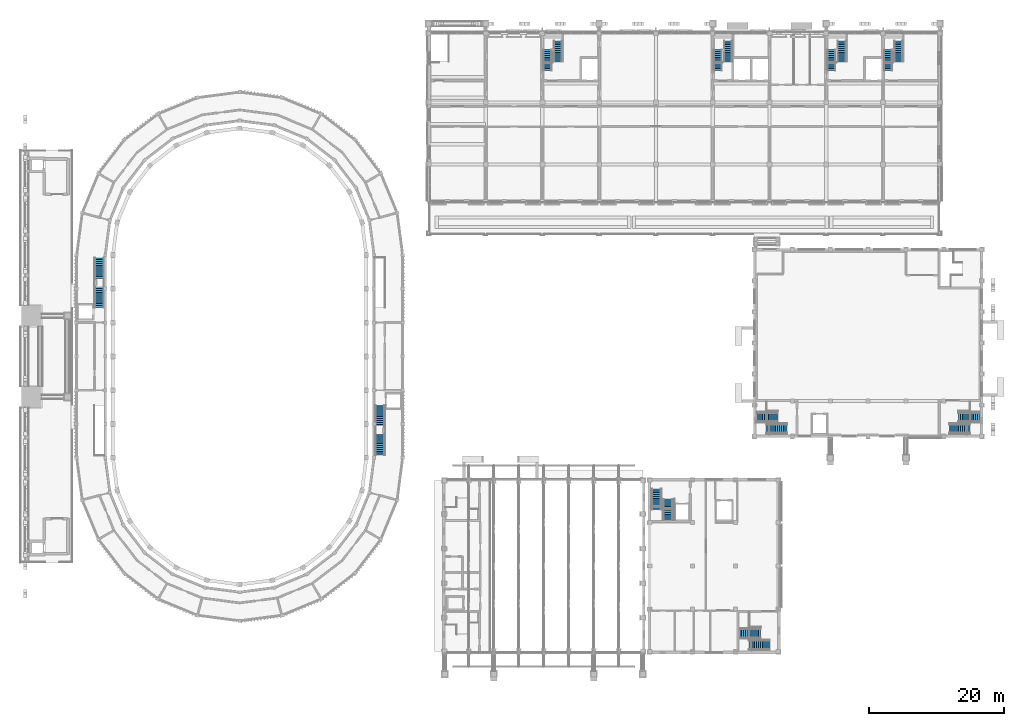
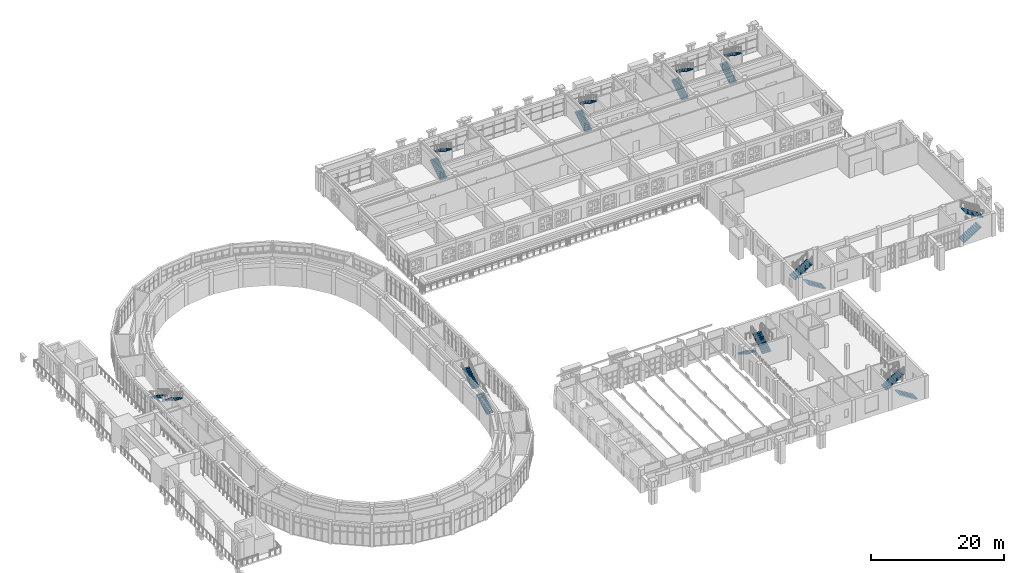
# One storey, part 70 of 99: 20 stair flights, 10 elements without a shape of their own.
"""IFC4 building model written with IfcOpenShell, lengths in metres."""

from ifc_helpers import new_model, si_unit, direction, frame, origin, place, context, subcontext, project, spatial, polyline, outline, extrude, material, type_object, element, aggregate, save


model = new_model("IFC4")

# Units and contexts
model_context = context("Model", 3, precision=1e-05, world=origin(), true_north=direction((0.0, 1.0)))
body_context = subcontext(model_context, "Body", "Model", "MODEL_VIEW")
ifc_project = project(units=[si_unit("LENGTHUNIT", "METRE"), si_unit("AREAUNIT", "SQUARE_METRE"), si_unit("VOLUMEUNIT", "CUBIC_METRE"), si_unit("PLANEANGLEUNIT", "RADIAN"), si_unit("MASSUNIT", "GRAM", prefix="KILO")], contexts=[model_context])

# Site, building, storey
site_placement = place(None, origin())
site = spatial("IfcSite", under=ifc_project, at=site_placement, CompositionType="ELEMENT")
building_placement = place(site_placement, origin())
building = spatial("IfcBuilding", under=site, at=building_placement, Name="Wasatch Bagh Community Centre", CompositionType="ELEMENT")
storey_placement = place(building_placement, frame((0.0, 0.0, 4.199951171875)))
storey = spatial("IfcBuildingStorey", under=building, at=storey_placement, Name="L01", CompositionType="ELEMENT", Elevation=4.199951171875)

# Stair, stair flights
ifc_material = material(Name="Concrete C35", Category="concrete")
stair_type_1 = type_object("IfcStairType", Name="Drum stair 175 x 280", PredefinedType="STRAIGHT_RUN_STAIR", material=ifc_material)
stair_1_placement = place(storey_placement, origin())
stair_1 = element("IfcStair", 1, at=stair_1_placement, inside=storey, type_object=stair_type_1, Name="Stair SE0", PredefinedType="STRAIGHT_RUN_STAIR")
stair_flight_type_1 = type_object("IfcStairFlightType", Name="Drum stair flight 175 x 280", PredefinedType="STRAIGHT", material=ifc_material)
stair_flight_1_placement = place(storey_placement, frame((56.77490234375, 35.39990234375, 0.0), z_axis=(0.0, 0.0, 1.0), x_axis=(0.0, 1.0, 0.0)))
stair_flight_1 = element("IfcStairFlight", 2, at=stair_flight_1_placement, type_object=stair_flight_type_1, Name="FST3 flight 1", NumberOfRisers=12, NumberOfTreads=11, PredefinedType="STRAIGHT", RiserHeight=0.175, TreadLength=0.28, context=body_context, shape_type="SweptSolid", body=[
    extrude(outline(polyline([(0.0, 0.0), (0.0, 0.175048828125), (0.280029296875, 0.175048828125), (0.280029296875, 0.35009765625), (0.56005859375, 0.35009765625), (0.56005859375, 0.52490234375), (0.840087890625, 0.52490234375), (0.840087890625, 0.699951171875), (1.1201171875, 0.699951171875), (1.1201171875, 0.875), (1.39990234375, 0.875), (1.39990234375, 1.050048828125), (1.679931640625, 1.050048828125), (1.679931640625, 1.22509765625), (1.9599609375, 1.22509765625), (1.9599609375, 1.39990234375), (2.239990234375, 1.39990234375), (2.239990234375, 1.574951171875), (2.52001953125, 1.574951171875), (2.52001953125, 1.75), (2.800048828125, 1.75), (2.800048828125, 1.925048828125), (3.080078125, 1.925048828125), (3.080078125, 2.10009765625), (3.080078125, 1.748291015625), (0.28271484375, 0.0), (0.0, 0.0)])), frame((0.0, 0.60009765625, 0.0), z_axis=(0.0, -1.0, 0.0), x_axis=(1.0, 0.0, 0.0)), (0.0, 0.0, 1.0), 1.199951171875),
])
stair_flight_2_placement = place(storey_placement, frame((56.77490234375, 39.679931640625, 2.10009765625), z_axis=(0.0, 0.0, 1.0), x_axis=(0.0, 1.0, 0.0)))
stair_flight_2 = element("IfcStairFlight", 3, at=stair_flight_2_placement, type_object=stair_flight_type_1, Name="FST3 flight 2", NumberOfRisers=12, NumberOfTreads=11, PredefinedType="STRAIGHT", RiserHeight=0.175, TreadLength=0.28, context=body_context, shape_type="SweptSolid", body=[
    extrude(outline(polyline([(0.0, 0.0), (0.0, 0.175048828125), (0.280029296875, 0.175048828125), (0.280029296875, 0.35009765625), (0.56005859375, 0.35009765625), (0.56005859375, 0.52490234375), (0.840087890625, 0.52490234375), (0.840087890625, 0.699951171875), (1.1201171875, 0.699951171875), (1.1201171875, 0.875), (1.39990234375, 0.875), (1.39990234375, 1.050048828125), (1.679931640625, 1.050048828125), (1.679931640625, 1.22509765625), (1.9599609375, 1.22509765625), (1.9599609375, 1.39990234375), (2.239990234375, 1.39990234375), (2.239990234375, 1.574951171875), (2.52001953125, 1.574951171875), (2.52001953125, 1.75), (2.800048828125, 1.75), (2.800048828125, 1.925048828125), (3.080078125, 1.925048828125), (3.080078125, 2.10009765625), (3.080078125, 1.748291015625), (0.28271484375, 0.0), (0.0, 0.0)])), frame((0.0, 0.60009765625, 0.0), z_axis=(0.0, -1.0, 0.0), x_axis=(1.0, 0.0, 0.0)), (0.0, 0.0, 1.0), 1.199951171875),
])
aggregate(stair_1, [stair_flight_1, stair_flight_2])

stair_2_placement = place(storey_placement, origin())
stair_2 = element("IfcStair", 4, at=stair_2_placement, inside=storey, type_object=stair_type_1, Name="Stair NW0", PredefinedType="STRAIGHT_RUN_STAIR")
stair_flight_3_placement = place(storey_placement, frame((15.22509765625, 64.60009765625, 0.0), z_axis=(0.0, 0.0, 1.0), x_axis=(0.0, -1.0, 0.0)))
stair_flight_3 = element("IfcStairFlight", 5, at=stair_flight_3_placement, type_object=stair_flight_type_1, Name="FST6 flight 1", NumberOfRisers=12, NumberOfTreads=11, PredefinedType="STRAIGHT", RiserHeight=0.175, TreadLength=0.28, context=body_context, shape_type="SweptSolid", body=[
    extrude(outline(polyline([(0.0, 0.0), (0.0, 0.175048828125), (0.280029296875, 0.175048828125), (0.280029296875, 0.35009765625), (0.56005859375, 0.35009765625), (0.56005859375, 0.52490234375), (0.840087890625, 0.52490234375), (0.840087890625, 0.699951171875), (1.1201171875, 0.699951171875), (1.1201171875, 0.875), (1.39990234375, 0.875), (1.39990234375, 1.050048828125), (1.679931640625, 1.050048828125), (1.679931640625, 1.22509765625), (1.9599609375, 1.22509765625), (1.9599609375, 1.39990234375), (2.239990234375, 1.39990234375), (2.239990234375, 1.574951171875), (2.52001953125, 1.574951171875), (2.52001953125, 1.75), (2.800048828125, 1.75), (2.800048828125, 1.925048828125), (3.080078125, 1.925048828125), (3.080078125, 2.10009765625), (3.080078125, 1.748291015625), (0.28271484375, 0.0), (0.0, 0.0)])), frame((0.0, 0.60009765625, 0.0), z_axis=(0.0, -1.0, 0.0), x_axis=(1.0, 0.0, 0.0)), (0.0, 0.0, 1.0), 1.199951171875),
])
stair_flight_4_placement = place(storey_placement, frame((15.22509765625, 60.320068359375, 2.10009765625), z_axis=(0.0, 0.0, 1.0), x_axis=(0.0, -1.0, 0.0)))
stair_flight_4 = element("IfcStairFlight", 6, at=stair_flight_4_placement, type_object=stair_flight_type_1, Name="FST6 flight 2", NumberOfRisers=12, NumberOfTreads=11, PredefinedType="STRAIGHT", RiserHeight=0.175, TreadLength=0.28, context=body_context, shape_type="SweptSolid", body=[
    extrude(outline(polyline([(0.0, 0.0), (0.0, 0.175048828125), (0.280029296875, 0.175048828125), (0.280029296875, 0.35009765625), (0.56005859375, 0.35009765625), (0.56005859375, 0.52490234375), (0.840087890625, 0.52490234375), (0.840087890625, 0.699951171875), (1.1201171875, 0.699951171875), (1.1201171875, 0.875), (1.39990234375, 0.875), (1.39990234375, 1.050048828125), (1.679931640625, 1.050048828125), (1.679931640625, 1.22509765625), (1.9599609375, 1.22509765625), (1.9599609375, 1.39990234375), (2.239990234375, 1.39990234375), (2.239990234375, 1.574951171875), (2.52001953125, 1.574951171875), (2.52001953125, 1.75), (2.800048828125, 1.75), (2.800048828125, 1.925048828125), (3.080078125, 1.925048828125), (3.080078125, 2.10009765625), (3.080078125, 1.748291015625), (0.28271484375, 0.0), (0.0, 0.0)])), frame((0.0, 0.60009765625, 0.0), z_axis=(0.0, -1.0, 0.0), x_axis=(1.0, 0.0, 0.0)), (0.0, 0.0, 1.0), 1.199951171875),
])
aggregate(stair_2, [stair_flight_3, stair_flight_4])

stair_type_2 = type_object("IfcStairType", Name="KW stair 1500", PredefinedType="HALF_TURN_STAIR", material=ifc_material)
stair_3_placement = place(storey_placement, origin())
stair_3 = element("IfcStair", 7, at=stair_3_placement, inside=storey, type_object=stair_type_2, Name="ST4 stair", PredefinedType="HALF_TURN_STAIR")
stair_flight_type_2 = type_object("IfcStairFlightType", Name="KW flight 1500", PredefinedType="STRAIGHT", material=ifc_material)
stair_flight_5_placement = place(storey_placement, frame((97.699951171875, 30.39990234375, 0.0), z_axis=(0.0, 0.0, 1.0), x_axis=(0.0, -1.0, 0.0)))
stair_flight_5 = element("IfcStairFlight", 8, at=stair_flight_5_placement, type_object=stair_flight_type_2, Name="ST4 flight 1", NumberOfRisers=12, NumberOfTreads=11, PredefinedType="STRAIGHT", RiserHeight=0.175, TreadLength=0.28, context=body_context, shape_type="SweptSolid", body=[
    extrude(outline(polyline([(0.0, 0.0), (0.0, 0.175048828125), (0.280029296875, 0.175048828125), (0.280029296875, 0.35009765625), (0.56005859375, 0.35009765625), (0.56005859375, 0.52490234375), (0.840087890625, 0.52490234375), (0.840087890625, 0.699951171875), (1.1201171875, 0.699951171875), (1.1201171875, 0.875), (1.39990234375, 0.875), (1.39990234375, 1.050048828125), (1.679931640625, 1.050048828125), (1.679931640625, 1.22509765625), (1.9599609375, 1.22509765625), (1.9599609375, 1.39990234375), (2.239990234375, 1.39990234375), (2.239990234375, 1.574951171875), (2.52001953125, 1.574951171875), (2.52001953125, 1.75), (2.800048828125, 1.75), (2.800048828125, 1.925048828125), (3.080078125, 1.925048828125), (3.080078125, 2.10009765625), (3.080078125, 1.748291015625), (0.28271484375, 0.0), (0.0, 0.0)])), frame((0.0, 0.75, 0.0), z_axis=(0.0, -1.0, 0.0), x_axis=(1.0, 0.0, 0.0)), (0.0, 0.0, 1.0), 1.5),
])
stair_flight_6_placement = place(storey_placement, frame((99.39990234375, 25.800048828125, 2.10009765625), z_axis=(0.0, 0.0, 1.0), x_axis=(0.0, 1.0, 0.0)))
stair_flight_6 = element("IfcStairFlight", 9, at=stair_flight_6_placement, type_object=stair_flight_type_2, Name="ST4 flight 2", NumberOfRisers=12, NumberOfTreads=11, PredefinedType="STRAIGHT", RiserHeight=0.175, TreadLength=0.28, context=body_context, shape_type="SweptSolid", body=[
    extrude(outline(polyline([(0.0, 0.0), (0.0, 0.175048828125), (0.280029296875, 0.175048828125), (0.280029296875, 0.35009765625), (0.56005859375, 0.35009765625), (0.56005859375, 0.52490234375), (0.840087890625, 0.52490234375), (0.840087890625, 0.699951171875), (1.1201171875, 0.699951171875), (1.1201171875, 0.875), (1.39990234375, 0.875), (1.39990234375, 1.050048828125), (1.679931640625, 1.050048828125), (1.679931640625, 1.22509765625), (1.9599609375, 1.22509765625), (1.9599609375, 1.39990234375), (2.239990234375, 1.39990234375), (2.239990234375, 1.574951171875), (2.52001953125, 1.574951171875), (2.52001953125, 1.75), (2.800048828125, 1.75), (2.800048828125, 1.925048828125), (3.080078125, 1.925048828125), (3.080078125, 2.10009765625), (3.080078125, 1.748291015625), (0.28271484375, 0.0), (0.0, 0.0)])), frame((0.0, 0.75, 0.0), z_axis=(0.0, -1.0, 0.0), x_axis=(1.0, 0.0, 0.0)), (0.0, 0.0, 1.0), 1.5),
])
aggregate(stair_3, [stair_flight_5, stair_flight_6])

stair_4_placement = place(storey_placement, origin())
stair_4 = element("IfcStair", 10, at=stair_4_placement, inside=storey, type_object=stair_type_2, Name="ST5 stair", PredefinedType="HALF_TURN_STAIR")
stair_flight_7_placement = place(storey_placement, frame((114.449951171875, 7.300048828125, 0.0), z_axis=(0.0, 0.0, 1.0), x_axis=(-1.0, 0.0, 0.0)))
stair_flight_7 = element("IfcStairFlight", 11, at=stair_flight_7_placement, type_object=stair_flight_type_2, Name="ST5 flight 1", NumberOfRisers=12, NumberOfTreads=11, PredefinedType="STRAIGHT", RiserHeight=0.175, TreadLength=0.28, context=body_context, shape_type="SweptSolid", body=[
    extrude(outline(polyline([(0.0, 0.0), (0.0, 0.175048828125), (0.280029296875, 0.175048828125), (0.280029296875, 0.35009765625), (0.56005859375, 0.35009765625), (0.56005859375, 0.52490234375), (0.840087890625, 0.52490234375), (0.840087890625, 0.699951171875), (1.1201171875, 0.699951171875), (1.1201171875, 0.875), (1.39990234375, 0.875), (1.39990234375, 1.050048828125), (1.679931640625, 1.050048828125), (1.679931640625, 1.22509765625), (1.9599609375, 1.22509765625), (1.9599609375, 1.39990234375), (2.239990234375, 1.39990234375), (2.239990234375, 1.574951171875), (2.52001953125, 1.574951171875), (2.52001953125, 1.75), (2.800048828125, 1.75), (2.800048828125, 1.925048828125), (3.080078125, 1.925048828125), (3.080078125, 2.10009765625), (3.080078125, 1.748291015625), (0.28271484375, 0.0), (0.0, 0.0)])), frame((0.0, 0.75, 0.0), z_axis=(0.0, -1.0, 0.0), x_axis=(1.0, 0.0, 0.0)), (0.0, 0.0, 1.0), 1.5),
])
stair_flight_8_placement = place(storey_placement, frame((110.0, 9.0, 2.10009765625), z_axis=(0.0, 0.0, 1.0), x_axis=(1.0, 0.0, 0.0)))
stair_flight_8 = element("IfcStairFlight", 12, at=stair_flight_8_placement, type_object=stair_flight_type_2, Name="ST5 flight 2", NumberOfRisers=12, NumberOfTreads=11, PredefinedType="STRAIGHT", RiserHeight=0.175, TreadLength=0.28, context=body_context, shape_type="SweptSolid", body=[
    extrude(outline(polyline([(0.0, 0.0), (0.0, 0.175048828125), (0.280029296875, 0.175048828125), (0.280029296875, 0.35009765625), (0.56005859375, 0.35009765625), (0.56005859375, 0.52490234375), (0.840087890625, 0.52490234375), (0.840087890625, 0.699951171875), (1.1201171875, 0.699951171875), (1.1201171875, 0.875), (1.39990234375, 0.875), (1.39990234375, 1.050048828125), (1.679931640625, 1.050048828125), (1.679931640625, 1.22509765625), (1.9599609375, 1.22509765625), (1.9599609375, 1.39990234375), (2.239990234375, 1.39990234375), (2.239990234375, 1.574951171875), (2.52001953125, 1.574951171875), (2.52001953125, 1.75), (2.800048828125, 1.75), (2.800048828125, 1.925048828125), (3.080078125, 1.925048828125), (3.080078125, 2.10009765625), (3.080078125, 1.748291015625), (0.28271484375, 0.0), (0.0, 0.0)])), frame((0.0, 0.75, 0.0), z_axis=(0.0, -1.0, 0.0), x_axis=(1.0, 0.0, 0.0)), (0.0, 0.0, 1.0), 1.5),
])
aggregate(stair_4, [stair_flight_7, stair_flight_8])

stair_type_3 = type_object("IfcStairType", Name="LW core stair", PredefinedType="HALF_TURN_STAIR", material=ifc_material)
stair_5_placement = place(storey_placement, origin())
stair_5 = element("IfcStair", 13, at=stair_5_placement, inside=storey, type_object=stair_type_3, Name="Stair Stair and Lift C1", PredefinedType="HALF_TURN_STAIR")
stair_flight_type_3 = type_object("IfcStairFlightType", Name="LW stair flight 1260", PredefinedType="STRAIGHT", material=ifc_material)
stair_flight_9_placement = place(storey_placement, frame((81.554931640625, 92.300048828125, 0.0), z_axis=(0.0, 0.0, 1.0), x_axis=(0.0, 1.0, 0.0)))
stair_flight_9 = element("IfcStairFlight", 14, at=stair_flight_9_placement, type_object=stair_flight_type_3, Name="ST-C1-1 flight 1", NumberOfRisers=12, NumberOfTreads=11, PredefinedType="STRAIGHT", RiserHeight=0.175, TreadLength=0.28, context=body_context, shape_type="SweptSolid", body=[
    extrude(outline(polyline([(0.0, 0.0), (0.0, 0.175048828125), (0.280029296875, 0.175048828125), (0.280029296875, 0.35009765625), (0.56005859375, 0.35009765625), (0.56005859375, 0.52490234375), (0.840087890625, 0.52490234375), (0.840087890625, 0.699951171875), (1.1201171875, 0.699951171875), (1.1201171875, 0.875), (1.39990234375, 0.875), (1.39990234375, 1.050048828125), (1.679931640625, 1.050048828125), (1.679931640625, 1.22509765625), (1.9599609375, 1.22509765625), (1.9599609375, 1.39990234375), (2.239990234375, 1.39990234375), (2.239990234375, 1.574951171875), (2.52001953125, 1.574951171875), (2.52001953125, 1.75), (2.800048828125, 1.75), (2.800048828125, 1.925048828125), (3.080078125, 1.925048828125), (3.080078125, 2.10009765625), (3.080078125, 1.748291015625), (0.28271484375, 0.0), (0.0, 0.0)])), frame((0.0, 0.6298828125, 0.0), z_axis=(0.0, -1.0, 0.0), x_axis=(1.0, 0.0, 0.0)), (0.0, 0.0, 1.0), 1.260009765625),
])
stair_flight_10_placement = place(storey_placement, frame((83.094970703125, 96.679931640625, 2.10009765625), z_axis=(0.0, 0.0, 1.0), x_axis=(0.0, -1.0, 0.0)))
stair_flight_10 = element("IfcStairFlight", 15, at=stair_flight_10_placement, type_object=stair_flight_type_3, Name="ST-C1-1 flight 2", NumberOfRisers=12, NumberOfTreads=11, PredefinedType="STRAIGHT", RiserHeight=0.175, TreadLength=0.28, context=body_context, shape_type="SweptSolid", body=[
    extrude(outline(polyline([(0.0, 0.0), (0.0, 0.175048828125), (0.280029296875, 0.175048828125), (0.280029296875, 0.35009765625), (0.56005859375, 0.35009765625), (0.56005859375, 0.52490234375), (0.840087890625, 0.52490234375), (0.840087890625, 0.699951171875), (1.1201171875, 0.699951171875), (1.1201171875, 0.875), (1.39990234375, 0.875), (1.39990234375, 1.050048828125), (1.679931640625, 1.050048828125), (1.679931640625, 1.22509765625), (1.9599609375, 1.22509765625), (1.9599609375, 1.39990234375), (2.239990234375, 1.39990234375), (2.239990234375, 1.574951171875), (2.52001953125, 1.574951171875), (2.52001953125, 1.75), (2.800048828125, 1.75), (2.800048828125, 1.925048828125), (3.080078125, 1.925048828125), (3.080078125, 2.10009765625), (3.080078125, 1.748291015625), (0.28271484375, 0.0), (0.0, 0.0)])), frame((0.0, 0.6298828125, 0.0), z_axis=(0.0, -1.0, 0.0), x_axis=(1.0, 0.0, 0.0)), (0.0, 0.0, 1.0), 1.260009765625),
])
aggregate(stair_5, [stair_flight_9, stair_flight_10])

stair_6_placement = place(storey_placement, origin())
stair_6 = element("IfcStair", 16, at=stair_6_placement, inside=storey, type_object=stair_type_3, Name="Stair Stair and Lift C2", PredefinedType="HALF_TURN_STAIR")
stair_flight_11_placement = place(storey_placement, frame((106.7548828125, 92.300048828125, 0.0), z_axis=(0.0, 0.0, 1.0), x_axis=(0.0, 1.0, 0.0)))
stair_flight_11 = element("IfcStairFlight", 17, at=stair_flight_11_placement, type_object=stair_flight_type_3, Name="ST-C2-1 flight 1", NumberOfRisers=12, NumberOfTreads=11, PredefinedType="STRAIGHT", RiserHeight=0.175, TreadLength=0.28, context=body_context, shape_type="SweptSolid", body=[
    extrude(outline(polyline([(0.0, 0.0), (0.0, 0.175048828125), (0.280029296875, 0.175048828125), (0.280029296875, 0.35009765625), (0.56005859375, 0.35009765625), (0.56005859375, 0.52490234375), (0.840087890625, 0.52490234375), (0.840087890625, 0.699951171875), (1.1201171875, 0.699951171875), (1.1201171875, 0.875), (1.39990234375, 0.875), (1.39990234375, 1.050048828125), (1.679931640625, 1.050048828125), (1.679931640625, 1.22509765625), (1.9599609375, 1.22509765625), (1.9599609375, 1.39990234375), (2.239990234375, 1.39990234375), (2.239990234375, 1.574951171875), (2.52001953125, 1.574951171875), (2.52001953125, 1.75), (2.800048828125, 1.75), (2.800048828125, 1.925048828125), (3.080078125, 1.925048828125), (3.080078125, 2.10009765625), (3.080078125, 1.748291015625), (0.28271484375, 0.0), (0.0, 0.0)])), frame((0.0, 0.6298828125, 0.0), z_axis=(0.0, -1.0, 0.0), x_axis=(1.0, 0.0, 0.0)), (0.0, 0.0, 1.0), 1.260009765625),
])
stair_flight_12_placement = place(storey_placement, frame((108.294921875, 96.679931640625, 2.10009765625), z_axis=(0.0, 0.0, 1.0), x_axis=(0.0, -1.0, 0.0)))
stair_flight_12 = element("IfcStairFlight", 18, at=stair_flight_12_placement, type_object=stair_flight_type_3, Name="ST-C2-1 flight 2", NumberOfRisers=12, NumberOfTreads=11, PredefinedType="STRAIGHT", RiserHeight=0.175, TreadLength=0.28, context=body_context, shape_type="SweptSolid", body=[
    extrude(outline(polyline([(0.0, 0.0), (0.0, 0.175048828125), (0.280029296875, 0.175048828125), (0.280029296875, 0.35009765625), (0.56005859375, 0.35009765625), (0.56005859375, 0.52490234375), (0.840087890625, 0.52490234375), (0.840087890625, 0.699951171875), (1.1201171875, 0.699951171875), (1.1201171875, 0.875), (1.39990234375, 0.875), (1.39990234375, 1.050048828125), (1.679931640625, 1.050048828125), (1.679931640625, 1.22509765625), (1.9599609375, 1.22509765625), (1.9599609375, 1.39990234375), (2.239990234375, 1.39990234375), (2.239990234375, 1.574951171875), (2.52001953125, 1.574951171875), (2.52001953125, 1.75), (2.800048828125, 1.75), (2.800048828125, 1.925048828125), (3.080078125, 1.925048828125), (3.080078125, 2.10009765625), (3.080078125, 1.748291015625), (0.28271484375, 0.0), (0.0, 0.0)])), frame((0.0, 0.6298828125, 0.0), z_axis=(0.0, -1.0, 0.0), x_axis=(1.0, 0.0, 0.0)), (0.0, 0.0, 1.0), 1.260009765625),
])
aggregate(stair_6, [stair_flight_11, stair_flight_12])

stair_7_placement = place(storey_placement, origin())
stair_7 = element("IfcStair", 19, at=stair_7_placement, inside=storey, type_object=stair_type_3, Name="Stair Stair and Lift C3", PredefinedType="HALF_TURN_STAIR")
stair_flight_13_placement = place(storey_placement, frame((123.554931640625, 92.300048828125, 0.0), z_axis=(0.0, 0.0, 1.0), x_axis=(0.0, 1.0, 0.0)))
stair_flight_13 = element("IfcStairFlight", 20, at=stair_flight_13_placement, type_object=stair_flight_type_3, Name="ST-C3-1 flight 1", NumberOfRisers=12, NumberOfTreads=11, PredefinedType="STRAIGHT", RiserHeight=0.175, TreadLength=0.28, context=body_context, shape_type="SweptSolid", body=[
    extrude(outline(polyline([(0.0, 0.0), (0.0, 0.175048828125), (0.280029296875, 0.175048828125), (0.280029296875, 0.35009765625), (0.56005859375, 0.35009765625), (0.56005859375, 0.52490234375), (0.840087890625, 0.52490234375), (0.840087890625, 0.699951171875), (1.1201171875, 0.699951171875), (1.1201171875, 0.875), (1.39990234375, 0.875), (1.39990234375, 1.050048828125), (1.679931640625, 1.050048828125), (1.679931640625, 1.22509765625), (1.9599609375, 1.22509765625), (1.9599609375, 1.39990234375), (2.239990234375, 1.39990234375), (2.239990234375, 1.574951171875), (2.52001953125, 1.574951171875), (2.52001953125, 1.75), (2.800048828125, 1.75), (2.800048828125, 1.925048828125), (3.080078125, 1.925048828125), (3.080078125, 2.10009765625), (3.080078125, 1.748291015625), (0.28271484375, 0.0), (0.0, 0.0)])), frame((0.0, 0.6298828125, 0.0), z_axis=(0.0, -1.0, 0.0), x_axis=(1.0, 0.0, 0.0)), (0.0, 0.0, 1.0), 1.260009765625),
])
stair_flight_14_placement = place(storey_placement, frame((125.094970703125, 96.679931640625, 2.10009765625), z_axis=(0.0, 0.0, 1.0), x_axis=(0.0, -1.0, 0.0)))
stair_flight_14 = element("IfcStairFlight", 21, at=stair_flight_14_placement, type_object=stair_flight_type_3, Name="ST-C3-1 flight 2", NumberOfRisers=12, NumberOfTreads=11, PredefinedType="STRAIGHT", RiserHeight=0.175, TreadLength=0.28, context=body_context, shape_type="SweptSolid", body=[
    extrude(outline(polyline([(0.0, 0.0), (0.0, 0.175048828125), (0.280029296875, 0.175048828125), (0.280029296875, 0.35009765625), (0.56005859375, 0.35009765625), (0.56005859375, 0.52490234375), (0.840087890625, 0.52490234375), (0.840087890625, 0.699951171875), (1.1201171875, 0.699951171875), (1.1201171875, 0.875), (1.39990234375, 0.875), (1.39990234375, 1.050048828125), (1.679931640625, 1.050048828125), (1.679931640625, 1.22509765625), (1.9599609375, 1.22509765625), (1.9599609375, 1.39990234375), (2.239990234375, 1.39990234375), (2.239990234375, 1.574951171875), (2.52001953125, 1.574951171875), (2.52001953125, 1.75), (2.800048828125, 1.75), (2.800048828125, 1.925048828125), (3.080078125, 1.925048828125), (3.080078125, 2.10009765625), (3.080078125, 1.748291015625), (0.28271484375, 0.0), (0.0, 0.0)])), frame((0.0, 0.6298828125, 0.0), z_axis=(0.0, -1.0, 0.0), x_axis=(1.0, 0.0, 0.0)), (0.0, 0.0, 1.0), 1.260009765625),
])
aggregate(stair_7, [stair_flight_13, stair_flight_14])

stair_8_placement = place(storey_placement, origin())
stair_8 = element("IfcStair", 22, at=stair_8_placement, inside=storey, type_object=stair_type_3, Name="Stair East Stair", PredefinedType="HALF_TURN_STAIR")
stair_flight_15_placement = place(storey_placement, frame((131.955078125, 92.300048828125, 0.0), z_axis=(0.0, 0.0, 1.0), x_axis=(0.0, 1.0, 0.0)))
stair_flight_15 = element("IfcStairFlight", 23, at=stair_flight_15_placement, type_object=stair_flight_type_3, Name="ST-ES-1 flight 1", NumberOfRisers=12, NumberOfTreads=11, PredefinedType="STRAIGHT", RiserHeight=0.175, TreadLength=0.28, context=body_context, shape_type="SweptSolid", body=[
    extrude(outline(polyline([(0.0, 0.0), (0.0, 0.175048828125), (0.280029296875, 0.175048828125), (0.280029296875, 0.35009765625), (0.56005859375, 0.35009765625), (0.56005859375, 0.52490234375), (0.840087890625, 0.52490234375), (0.840087890625, 0.699951171875), (1.1201171875, 0.699951171875), (1.1201171875, 0.875), (1.39990234375, 0.875), (1.39990234375, 1.050048828125), (1.679931640625, 1.050048828125), (1.679931640625, 1.22509765625), (1.9599609375, 1.22509765625), (1.9599609375, 1.39990234375), (2.239990234375, 1.39990234375), (2.239990234375, 1.574951171875), (2.52001953125, 1.574951171875), (2.52001953125, 1.75), (2.800048828125, 1.75), (2.800048828125, 1.925048828125), (3.080078125, 1.925048828125), (3.080078125, 2.10009765625), (3.080078125, 1.748291015625), (0.28271484375, 0.0), (0.0, 0.0)])), frame((0.0, 0.6298828125, 0.0), z_axis=(0.0, -1.0, 0.0), x_axis=(1.0, 0.0, 0.0)), (0.0, 0.0, 1.0), 1.260009765625),
])
stair_flight_16_placement = place(storey_placement, frame((133.4951171875, 96.679931640625, 2.10009765625), z_axis=(0.0, 0.0, 1.0), x_axis=(0.0, -1.0, 0.0)))
stair_flight_16 = element("IfcStairFlight", 24, at=stair_flight_16_placement, type_object=stair_flight_type_3, Name="ST-ES-1 flight 2", NumberOfRisers=12, NumberOfTreads=11, PredefinedType="STRAIGHT", RiserHeight=0.175, TreadLength=0.28, context=body_context, shape_type="SweptSolid", body=[
    extrude(outline(polyline([(0.0, 0.0), (0.0, 0.175048828125), (0.280029296875, 0.175048828125), (0.280029296875, 0.35009765625), (0.56005859375, 0.35009765625), (0.56005859375, 0.52490234375), (0.840087890625, 0.52490234375), (0.840087890625, 0.699951171875), (1.1201171875, 0.699951171875), (1.1201171875, 0.875), (1.39990234375, 0.875), (1.39990234375, 1.050048828125), (1.679931640625, 1.050048828125), (1.679931640625, 1.22509765625), (1.9599609375, 1.22509765625), (1.9599609375, 1.39990234375), (2.239990234375, 1.39990234375), (2.239990234375, 1.574951171875), (2.52001953125, 1.574951171875), (2.52001953125, 1.75), (2.800048828125, 1.75), (2.800048828125, 1.925048828125), (3.080078125, 1.925048828125), (3.080078125, 2.10009765625), (3.080078125, 1.748291015625), (0.28271484375, 0.0), (0.0, 0.0)])), frame((0.0, 0.6298828125, 0.0), z_axis=(0.0, -1.0, 0.0), x_axis=(1.0, 0.0, 0.0)), (0.0, 0.0, 1.0), 1.260009765625),
])
aggregate(stair_8, [stair_flight_15, stair_flight_16])

stair_type_4 = type_object("IfcStairType", Name="SH stair 1500", PredefinedType="HALF_TURN_STAIR", material=ifc_material)
stair_9_placement = place(storey_placement, origin())
stair_9 = element("IfcStair", 25, at=stair_9_placement, inside=storey, type_object=stair_type_4, Name="ST1 stair", PredefinedType="HALF_TURN_STAIR")
stair_flight_type_4 = type_object("IfcStairFlightType", Name="SH flight 1500", PredefinedType="STRAIGHT", material=ifc_material)
stair_flight_17_placement = place(storey_placement, frame((117.0, 39.300048828125, 0.0), z_axis=(0.0, 0.0, 1.0), x_axis=(-1.0, 0.0, 0.0)))
stair_flight_17 = element("IfcStairFlight", 26, at=stair_flight_17_placement, type_object=stair_flight_type_4, Name="ST1 flight 1", NumberOfRisers=12, NumberOfTreads=11, PredefinedType="STRAIGHT", RiserHeight=0.175, TreadLength=0.28, context=body_context, shape_type="SweptSolid", body=[
    extrude(outline(polyline([(0.0, 0.0), (0.0, 0.175048828125), (0.280029296875, 0.175048828125), (0.280029296875, 0.35009765625), (0.56005859375, 0.35009765625), (0.56005859375, 0.52490234375), (0.840087890625, 0.52490234375), (0.840087890625, 0.699951171875), (1.1201171875, 0.699951171875), (1.1201171875, 0.875), (1.39990234375, 0.875), (1.39990234375, 1.050048828125), (1.679931640625, 1.050048828125), (1.679931640625, 1.22509765625), (1.9599609375, 1.22509765625), (1.9599609375, 1.39990234375), (2.239990234375, 1.39990234375), (2.239990234375, 1.574951171875), (2.52001953125, 1.574951171875), (2.52001953125, 1.75), (2.800048828125, 1.75), (2.800048828125, 1.925048828125), (3.080078125, 1.925048828125), (3.080078125, 2.10009765625), (3.080078125, 1.748291015625), (0.28271484375, 0.0), (0.0, 0.0)])), frame((0.0, 0.75, 0.0), z_axis=(0.0, -1.0, 0.0), x_axis=(1.0, 0.0, 0.0)), (0.0, 0.0, 1.0), 1.5),
])
stair_flight_18_placement = place(storey_placement, frame((112.550048828125, 41.0, 2.10009765625), z_axis=(0.0, 0.0, 1.0), x_axis=(1.0, 0.0, 0.0)))
stair_flight_18 = element("IfcStairFlight", 27, at=stair_flight_18_placement, type_object=stair_flight_type_4, Name="ST1 flight 2", NumberOfRisers=12, NumberOfTreads=11, PredefinedType="STRAIGHT", RiserHeight=0.175, TreadLength=0.28, context=body_context, shape_type="SweptSolid", body=[
    extrude(outline(polyline([(0.0, 0.0), (0.0, 0.175048828125), (0.280029296875, 0.175048828125), (0.280029296875, 0.35009765625), (0.56005859375, 0.35009765625), (0.56005859375, 0.52490234375), (0.840087890625, 0.52490234375), (0.840087890625, 0.699951171875), (1.1201171875, 0.699951171875), (1.1201171875, 0.875), (1.39990234375, 0.875), (1.39990234375, 1.050048828125), (1.679931640625, 1.050048828125), (1.679931640625, 1.22509765625), (1.9599609375, 1.22509765625), (1.9599609375, 1.39990234375), (2.239990234375, 1.39990234375), (2.239990234375, 1.574951171875), (2.52001953125, 1.574951171875), (2.52001953125, 1.75), (2.800048828125, 1.75), (2.800048828125, 1.925048828125), (3.080078125, 1.925048828125), (3.080078125, 2.10009765625), (3.080078125, 1.748291015625), (0.28271484375, 0.0), (0.0, 0.0)])), frame((0.0, 0.75, 0.0), z_axis=(0.0, -1.0, 0.0), x_axis=(1.0, 0.0, 0.0)), (0.0, 0.0, 1.0), 1.5),
])
aggregate(stair_9, [stair_flight_17, stair_flight_18])

stair_10_placement = place(storey_placement, origin())
stair_10 = element("IfcStair", 28, at=stair_10_placement, inside=storey, type_object=stair_type_4, Name="ST2 stair", PredefinedType="HALF_TURN_STAIR")
stair_flight_19_placement = place(storey_placement, frame((141.0, 39.300048828125, 0.0), z_axis=(0.0, 0.0, 1.0), x_axis=(1.0, 0.0, 0.0)))
stair_flight_19 = element("IfcStairFlight", 29, at=stair_flight_19_placement, type_object=stair_flight_type_4, Name="ST2 flight 1", NumberOfRisers=12, NumberOfTreads=11, PredefinedType="STRAIGHT", RiserHeight=0.175, TreadLength=0.28, context=body_context, shape_type="SweptSolid", body=[
    extrude(outline(polyline([(0.0, 0.0), (0.0, 0.175048828125), (0.280029296875, 0.175048828125), (0.280029296875, 0.35009765625), (0.56005859375, 0.35009765625), (0.56005859375, 0.52490234375), (0.840087890625, 0.52490234375), (0.840087890625, 0.699951171875), (1.1201171875, 0.699951171875), (1.1201171875, 0.875), (1.39990234375, 0.875), (1.39990234375, 1.050048828125), (1.679931640625, 1.050048828125), (1.679931640625, 1.22509765625), (1.9599609375, 1.22509765625), (1.9599609375, 1.39990234375), (2.239990234375, 1.39990234375), (2.239990234375, 1.574951171875), (2.52001953125, 1.574951171875), (2.52001953125, 1.75), (2.800048828125, 1.75), (2.800048828125, 1.925048828125), (3.080078125, 1.925048828125), (3.080078125, 2.10009765625), (3.080078125, 1.748291015625), (0.28271484375, 0.0), (0.0, 0.0)])), frame((0.0, 0.75, 0.0), z_axis=(0.0, -1.0, 0.0), x_axis=(1.0, 0.0, 0.0)), (0.0, 0.0, 1.0), 1.5),
])
stair_flight_20_placement = place(storey_placement, frame((145.449951171875, 41.0, 2.10009765625), z_axis=(0.0, 0.0, 1.0), x_axis=(-1.0, 0.0, 0.0)))
stair_flight_20 = element("IfcStairFlight", 30, at=stair_flight_20_placement, type_object=stair_flight_type_4, Name="ST2 flight 2", NumberOfRisers=12, NumberOfTreads=11, PredefinedType="STRAIGHT", RiserHeight=0.175, TreadLength=0.28, context=body_context, shape_type="SweptSolid", body=[
    extrude(outline(polyline([(0.0, 0.0), (0.0, 0.175048828125), (0.280029296875, 0.175048828125), (0.280029296875, 0.35009765625), (0.56005859375, 0.35009765625), (0.56005859375, 0.52490234375), (0.840087890625, 0.52490234375), (0.840087890625, 0.699951171875), (1.1201171875, 0.699951171875), (1.1201171875, 0.875), (1.39990234375, 0.875), (1.39990234375, 1.050048828125), (1.679931640625, 1.050048828125), (1.679931640625, 1.22509765625), (1.9599609375, 1.22509765625), (1.9599609375, 1.39990234375), (2.239990234375, 1.39990234375), (2.239990234375, 1.574951171875), (2.52001953125, 1.574951171875), (2.52001953125, 1.75), (2.800048828125, 1.75), (2.800048828125, 1.925048828125), (3.080078125, 1.925048828125), (3.080078125, 2.10009765625), (3.080078125, 1.748291015625), (0.28271484375, 0.0), (0.0, 0.0)])), frame((0.0, 0.75, 0.0), z_axis=(0.0, -1.0, 0.0), x_axis=(1.0, 0.0, 0.0)), (0.0, 0.0, 1.0), 1.5),
])
aggregate(stair_10, [stair_flight_19, stair_flight_20])

save(model, "model.ifc")
